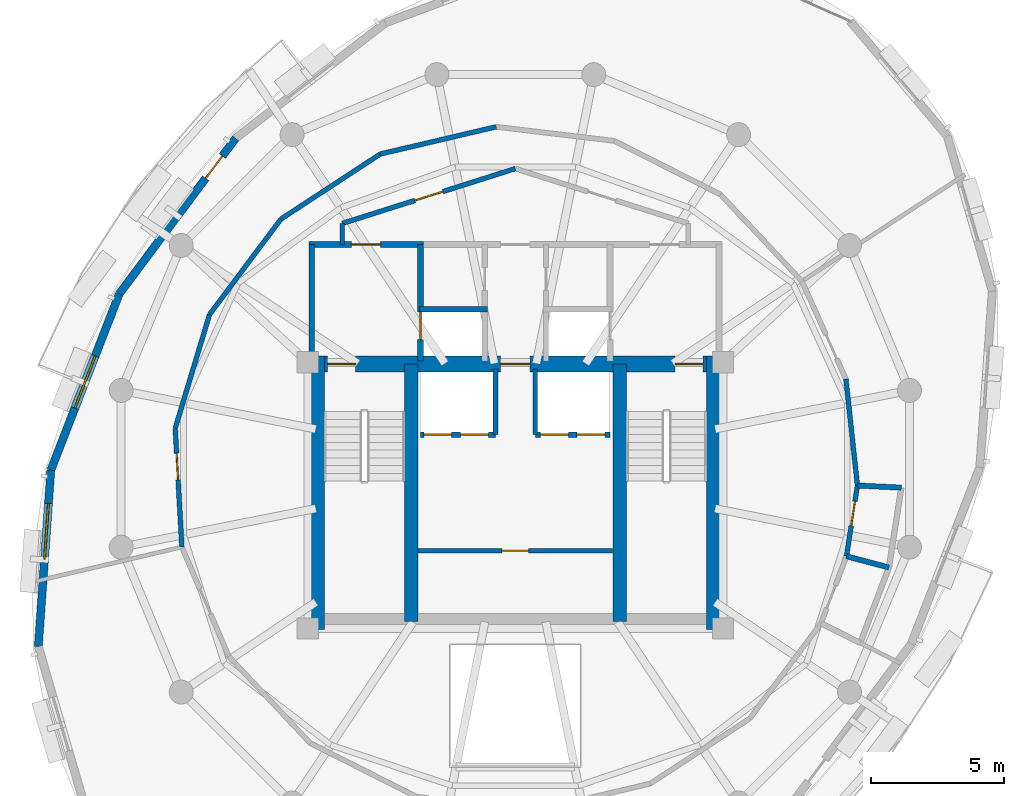
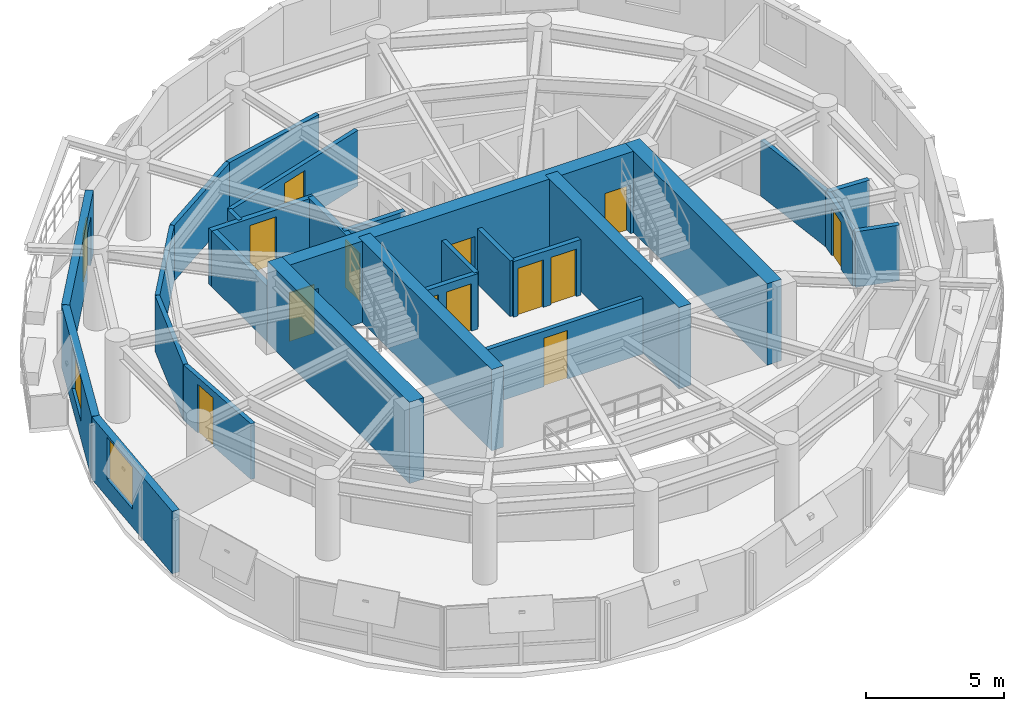
# One storey, part 7 of 11: 28 walls, 14 doors, 2 windows, 16 openings.
"""IFC4 building model written with IfcOpenShell, lengths in metres."""

from ifc_helpers import new_model, si_unit, direction, frame, frame_2d, origin, place, context, subcontext, project, spatial, rectangle, extrude, material, layer, layer_set, type_object, element, fill, save


model = new_model("IFC4")

# Units and contexts
model_context = context("Model", 3, precision=1e-05, world=origin(), true_north=direction((0.0, 1.0)))
body_context = subcontext(model_context, "Body", "Model", "MODEL_VIEW")
ifc_project = project(units=[si_unit("LENGTHUNIT", "METRE"), si_unit("AREAUNIT", "SQUARE_METRE"), si_unit("VOLUMEUNIT", "CUBIC_METRE"), si_unit("PLANEANGLEUNIT", "RADIAN"), si_unit("MASSUNIT", "GRAM", prefix="KILO"), si_unit("THERMODYNAMICTEMPERATUREUNIT", "KELVIN"), si_unit("POWERUNIT", "WATT")], contexts=[model_context])

# Site, building, storey
site_placement = place(None, origin())
site = spatial("IfcSite", under=ifc_project, at=site_placement, CompositionType="ELEMENT")
building_placement = place(site_placement, origin())
building = spatial("IfcBuilding", under=site, at=building_placement, Name="Ocrelia Relay Tower", CompositionType="ELEMENT")
storey_placement = place(building_placement, frame((0.0, 0.0, 252.0)))
storey = spatial("IfcBuildingStorey", under=building, at=storey_placement, Name="L62", CompositionType="ELEMENT", Elevation=252.0)

# Wall, openings, doors
ifc_material_1 = material(Name="Concrete C50/60", Category="concrete")
ifc_layer_1 = layer(ifc_material_1, 0.60009765625, Name="Concrete C50/60")
ifc_layer_set_1 = layer_set([ifc_layer_1], Name="Concrete C50/60")
wall_type_1 = type_object("IfcWallType", Name="CW-CORE-600B", PredefinedType="SHEAR", material=ifc_layer_set_1)
wall_1_placement = place(storey_placement, frame((26.221923828125, 29.93798828125, 0.0), z_axis=(0.0, 0.0, 1.0), x_axis=(1.0, 0.0, 0.0)))
wall_1 = element("IfcWall", 1, at=wall_1_placement, inside=storey, type_object=wall_type_1, Name="L62 Core Shear Wall N", PredefinedType="SHEAR", context=body_context, shape_type="SweptSolid", body=[
    extrude(rectangle(XDim=15.566162109375, YDim=0.60009765625, at=frame_2d((7.783203125, 0.0))), origin(), (0.0, 0.0, 1.0), 3.60009765625),
])
opening_1_placement = place(wall_1_placement, frame((0.72802734375, 0.0, 0.0)))
opening_1 = element("IfcOpeningElement", 2, at=opening_1_placement, cuts=wall_1, Name="Opening D-FD90", PredefinedType="OPENING", context=body_context, shape_type="SweptSolid", body=[
    extrude(rectangle(XDim=1.050048828125, YDim=2.14990234375, at=frame_2d((0.52490234375, 1.074951171875))), frame((0.0, 0.31005859375, 0.0), z_axis=(0.0, -1.0, 0.0), x_axis=(1.0, 0.0, 0.0)), (0.0, 0.0, 1.0), 0.6201171875),
])
opening_2_placement = place(wall_1_placement, frame((13.778076171875, 0.0, 0.0)))
opening_2 = element("IfcOpeningElement", 3, at=opening_2_placement, cuts=wall_1, Name="Opening D-FD90", PredefinedType="OPENING", context=body_context, shape_type="SweptSolid", body=[
    extrude(rectangle(XDim=1.050048828125, YDim=2.14990234375, at=frame_2d((0.52490234375, 1.074951171875))), frame((0.0, 0.31005859375, 0.0), z_axis=(0.0, -1.0, 0.0), x_axis=(1.0, 0.0, 0.0)), (0.0, 0.0, 1.0), 0.6201171875),
])
opening_3_placement = place(wall_1_placement, frame((7.22802734375, 0.0, 0.0)))
opening_3 = element("IfcOpeningElement", 4, at=opening_3_placement, cuts=wall_1, Name="Opening D-FD60", PredefinedType="OPENING", context=body_context, shape_type="SweptSolid", body=[
    extrude(rectangle(XDim=1.10009765625, YDim=2.14990234375, at=frame_2d((0.550048828125, 1.074951171875))), frame((0.0, 0.31005859375, 0.0), z_axis=(0.0, -1.0, 0.0), x_axis=(1.0, 0.0, 0.0)), (0.0, 0.0, 1.0), 0.6201171875),
])
ifc_material_2 = material(Name="Timber-core 60-min acoustic fire door", Category="wood")
door_type_1 = type_object("IfcDoorType", Name="DR-LOBBY-FD60-1100", OperationType="NOTDEFINED", PredefinedType="DOOR", material=ifc_material_2)
door_1_placement = place(opening_3_placement, origin())
door_1 = element("IfcDoor", 5, at=door_1_placement, inside=storey, type_object=door_type_1, Name="L62 Core Lift Lobby North Fire Door", OperationType="SINGLE_SWING_LEFT", OverallHeight=2.14990234375, OverallWidth=1.10009765625, PredefinedType="DOOR", context=body_context, shape_type="SweptSolid", body=[
    extrude(rectangle(XDim=1.10009765625, YDim=2.14990234375, at=frame_2d((0.550048828125, 1.074951171875))), frame((0.0, 0.02490234375, 0.0), z_axis=(0.0, -1.0, 0.0), x_axis=(1.0, 0.0, 0.0)), (0.0, 0.0, 1.0), 0.050048828125),
])
fill(opening_3, door_1)
ifc_material_3 = material(Name="Steel S355 90-min fire door", Category="steel")
door_type_2 = type_object("IfcDoorType", Name="DR-STAIR-FD90-1050", OperationType="NOTDEFINED", PredefinedType="DOOR", material=ifc_material_3)
door_2_placement = place(opening_1_placement, origin())
door_2 = element("IfcDoor", 6, at=door_2_placement, inside=storey, type_object=door_type_2, Name="L62 Stair ST1 Fire Door", OperationType="SINGLE_SWING_LEFT", OverallHeight=2.14990234375, OverallWidth=1.050048828125, PredefinedType="DOOR", context=body_context, shape_type="SweptSolid", body=[
    extrude(rectangle(XDim=1.050048828125, YDim=2.14990234375, at=frame_2d((0.52490234375, 1.074951171875))), frame((0.0, 0.02490234375, 0.0), z_axis=(0.0, -1.0, 0.0), x_axis=(1.0, 0.0, 0.0)), (0.0, 0.0, 1.0), 0.050048828125),
])
fill(opening_1, door_2)
door_3_placement = place(opening_2_placement, origin())
door_3 = element("IfcDoor", 7, at=door_3_placement, inside=storey, type_object=door_type_2, Name="L62 Stair ST2 Fire Door", OperationType="SINGLE_SWING_RIGHT", OverallHeight=2.14990234375, OverallWidth=1.050048828125, PredefinedType="DOOR", context=body_context, shape_type="SweptSolid", body=[
    extrude(rectangle(XDim=1.050048828125, YDim=2.14990234375, at=frame_2d((0.52490234375, 1.074951171875))), frame((0.0, 0.02490234375, 0.0), z_axis=(0.0, -1.0, 0.0), x_axis=(1.0, 0.0, 0.0)), (0.0, 0.0, 1.0), 0.050048828125),
])
fill(opening_2, door_3)

# Walls
for number, where, z_axis, x_axis, name in (
    (8, (26.52197265625, 19.9619140625, 0.0), (0.0, 0.0, 1.0), (0.0, 1.0, 0.0), "L62 Core Shear Wall W"),
    (9, (41.488037109375, 19.9619140625, 0.0), (0.0, 0.0, 1.0), (0.0, 1.0, 0.0), "L62 Core Shear Wall E"),
):
    element("IfcWall", number, at=place(storey_placement, frame(where, z_axis=z_axis, x_axis=x_axis)), inside=storey, type_object=wall_type_1, Name=name, PredefinedType="SHEAR", context=body_context, shape_type="SweptSolid", body=[
        extrude(rectangle(XDim=10.276123046875, YDim=0.60009765625, at=frame_2d((5.13818359375, 0.0))), origin(), (0.0, 0.0, 1.0), 3.60009765625),
    ])
for number, where, z_axis, x_axis, name in (
    (10, (30.087890625, 20.261962890625, 0.0), (0.0, 0.0, 1.0), (0.0, 1.0, 0.0), "L62 Core Shear Wall SPW"),
    (11, (37.922119140625, 20.261962890625, 0.0), (0.0, 0.0, 1.0), (0.0, 1.0, 0.0), "L62 Core Shear Wall SPE"),
):
    element("IfcWall", number, at=place(storey_placement, frame(where, z_axis=z_axis, x_axis=x_axis)), inside=storey, type_object=wall_type_1, Name=name, PredefinedType="SHEAR", context=body_context, shape_type="SweptSolid", body=[
        extrude(rectangle(XDim=9.676025390625, YDim=0.5, at=frame_2d((4.837890625, 0.0))), origin(), (0.0, 0.0, 1.0), 3.60009765625),
    ])

# Wall, opening, door
ifc_material_4 = material(Name="Gypsum Fireboard Partition EI60", Category="gypsum")
ifc_layer_2 = layer(ifc_material_4, 0.179931640625, Name="Gypsum Fireboard Partition EI60")
ifc_layer_set_2 = layer_set([ifc_layer_2], Name="Gypsum Fireboard Partition EI60")
wall_type_2 = type_object("IfcWallType", Name="W-CORR-EI60-180", PredefinedType="PARTITIONING", material=ifc_layer_set_2)
wall_2_placement = place(storey_placement, frame((30.35009765625, 22.919921875, 0.0), z_axis=(0.0, 0.0, 1.0), x_axis=(1.0, 0.0, 0.0)))
wall_2 = element("IfcWall", 12, at=wall_2_placement, inside=storey, type_object=wall_type_2, Name="L62 Reclaimed Core Room Partition", PredefinedType="PARTITIONING", context=body_context, shape_type="SweptSolid", body=[
    extrude(rectangle(XDim=7.2998046875, YDim=0.179931640625, at=frame_2d((3.64990234375, 0.0))), origin(), (0.0, 0.0, 1.0), 2.4599609375),
])
opening_4_placement = place(wall_2_placement, frame((3.14990234375, 0.0, 0.0)))
opening_4 = element("IfcOpeningElement", 13, at=opening_4_placement, cuts=wall_2, Name="Opening D-RM100", PredefinedType="OPENING", context=body_context, shape_type="SweptSolid", body=[
    extrude(rectangle(XDim=1.0, YDim=2.14990234375, at=frame_2d((0.5, 1.074951171875))), frame((0.0, 0.10009765625, 0.0), z_axis=(0.0, -1.0, 0.0), x_axis=(1.0, 0.0, 0.0)), (0.0, 0.0, 1.0), 0.199951171875),
])
ifc_material_5 = material(Name="Acoustic oak veneer fire door", Category="wood")
door_type_3 = type_object("IfcDoorType", Name="DR-ROOM-FD60-1000", OperationType="NOTDEFINED", PredefinedType="DOOR", material=ifc_material_5)
door_4_placement = place(opening_4_placement, origin())
door_4 = element("IfcDoor", 14, at=door_4_placement, inside=storey, type_object=door_type_3, Name="L62 Calibration Laboratory Door", OperationType="SINGLE_SWING_LEFT", OverallHeight=2.14990234375, OverallWidth=1.0, PredefinedType="DOOR", context=body_context, shape_type="SweptSolid", body=[
    extrude(rectangle(XDim=1.0, YDim=2.14990234375, at=frame_2d((0.5, 1.074951171875))), frame((0.0, 0.02490234375, 0.0), z_axis=(0.0, -1.0, 0.0), x_axis=(1.0, 0.0, 0.0)), (0.0, 0.0, 1.0), 0.050048828125),
])
fill(opening_4, door_4)

# Wall
wall_3_placement = place(storey_placement, frame((27.5, 34.429931640625, 0.0), z_axis=(0.0, 0.0, 1.0), x_axis=(0.0, 1.0, 0.0)))
element("IfcWall", 15, at=wall_3_placement, inside=storey, type_object=wall_type_2, Name="L62 Smoke Lobby West Return", PredefinedType="PARTITIONING", context=body_context, shape_type="SweptSolid", body=[
    extrude(rectangle(XDim=0.7890625, YDim=0.179931640625, at=frame_2d((0.39453125, 0.0))), origin(), (0.0, 0.0, 1.0), 2.4599609375),
])

# Wall, opening, door
wall_4_placement = place(storey_placement, frame((27.5, 35.218994140625, 0.0), z_axis=(0.0, 0.0, 1.0), x_axis=(0.953228121756, 0.302251795518, 0.0)))
wall_4 = element("IfcWall", 16, at=wall_4_placement, inside=storey, type_object=wall_type_2, Name="L62 North Smoke Lobby W Screen Wall", PredefinedType="PARTITIONING", context=body_context, shape_type="SweptSolid", body=[
    extrude(rectangle(XDim=6.81884765625, YDim=0.179931640625, at=frame_2d((3.409423828125, 0.0))), origin(), (0.0, 0.0, 1.0), 2.4599609375),
])
opening_5_placement = place(wall_4_placement, frame((2.859619140625, 0.0, 0.0)))
opening_5 = element("IfcOpeningElement", 17, at=opening_5_placement, cuts=wall_4, Name="Opening D-FD60", PredefinedType="OPENING", context=body_context, shape_type="SweptSolid", body=[
    extrude(rectangle(XDim=1.10009765625, YDim=2.14990234375, at=frame_2d((0.550048828125, 1.074951171875))), frame((0.0, 0.10009765625, 0.0), z_axis=(0.0, -1.0, 0.0), x_axis=(1.0, 0.0, 0.0)), (0.0, 0.0, 1.0), 0.199951171875),
])
door_5_placement = place(opening_5_placement, origin())
door_5 = element("IfcDoor", 18, at=door_5_placement, inside=storey, type_object=door_type_1, Name="L62 North Smoke Lobby W Fire Door", OperationType="SINGLE_SWING_RIGHT", OverallHeight=2.14990234375, OverallWidth=1.10009765625, PredefinedType="DOOR", context=body_context, shape_type="SweptSolid", body=[
    extrude(rectangle(XDim=1.10009765625, YDim=2.14990234375, at=frame_2d((0.550048828125, 1.074951171875))), frame((0.0, 0.02490234375, 0.0), z_axis=(0.0, -1.0, 0.0), x_axis=(1.0, 0.0, 0.0)), (0.0, 0.0, 1.0), 0.050048828125),
])
fill(opening_5, door_5)

wall_5_placement = place(storey_placement, frame((46.443115234375, 22.71240234375, 0.0), z_axis=(0.0, 0.0, 1.0), x_axis=(0.152895812912, 0.988242313602, 0.0)))
wall_5 = element("IfcWall", 19, at=wall_5_placement, inside=storey, type_object=wall_type_2, Name="L62 Accessible Toilet Corridor Wall", PredefinedType="PARTITIONING", context=body_context, shape_type="SweptSolid", body=[
    extrude(rectangle(XDim=2.690673828125, YDim=0.179931640625, at=frame_2d((1.34521484375, 0.0))), origin(), (0.0, 0.0, 1.0), 2.4599609375),
])
opening_6_placement = place(wall_5_placement, frame((1.16748046875, 0.0, 0.0)))
opening_6 = element("IfcOpeningElement", 20, at=opening_6_placement, cuts=wall_5, Name="Opening D-WC92", PredefinedType="OPENING", context=body_context, shape_type="SweptSolid", body=[
    extrude(rectangle(XDim=0.919921875, YDim=2.10009765625, at=frame_2d((0.4599609375, 1.050048828125))), frame((0.0, 0.10009765625, 0.0), z_axis=(0.0, -1.0, 0.0), x_axis=(1.0, 0.0, 0.0)), (0.0, 0.0, 1.0), 0.199951171875),
])
ifc_material_6 = material(Name="Laminate washroom door", Category="wood")
door_type_4 = type_object("IfcDoorType", Name="DR-WC-920", OperationType="NOTDEFINED", PredefinedType="DOOR", material=ifc_material_6)
door_6_placement = place(opening_6_placement, origin())
door_6 = element("IfcDoor", 21, at=door_6_placement, inside=storey, type_object=door_type_4, Name="L62 Accessible Toilet Door", OperationType="SINGLE_SWING_LEFT", OverallHeight=2.10009765625, OverallWidth=0.919921875, PredefinedType="DOOR", context=body_context, shape_type="SweptSolid", body=[
    extrude(rectangle(XDim=0.919921875, YDim=2.10009765625, at=frame_2d((0.4599609375, 1.050048828125))), frame((0.0, 0.02490234375, 0.0), z_axis=(0.0, -1.0, 0.0), x_axis=(1.0, 0.0, 0.0)), (0.0, 0.0, 1.0), 0.050048828125),
])
fill(opening_6, door_6)

# Walls
wall_6_placement = place(storey_placement, frame((46.8544921875, 25.371337890625, 0.0), z_axis=(0.0, 0.0, 1.0), x_axis=(-0.107922399917, 0.994159321033, 0.0)))
element("IfcWall", 22, at=wall_6_placement, inside=storey, type_object=wall_type_2, Name="L62 Technical Reference Library Corridor Partition 1", PredefinedType="PARTITIONING", context=body_context, shape_type="SweptSolid", body=[
    extrude(rectangle(XDim=4.026611328125, YDim=0.179931640625, at=frame_2d((2.01318359375, 0.0))), origin(), (0.0, 0.0, 1.0), 2.4599609375),
])
for number, where, z_axis, x_axis, name in (
    (23, (33.281494140625, 38.849853515625, 0.0), (0.0, 0.0, 1.0), (-0.973585963323, -0.228320765636, 0.0), "L62 Executive Club and Forum Hall Corridor Partition 4"),
    (24, (28.929931640625, 37.829345703125, 0.0), (0.0, 0.0, 1.0), (-0.836751116768, -0.54758338962, 0.0), "L62 Executive Club and Forum Hall Corridor Partition 5"),
    (25, (25.18994140625, 35.3818359375, 0.0), (0.0, 0.0, 1.0), (-0.599020755264, -0.800733497964, 0.0), "L62 Executive Club and Forum Hall Corridor Partition 6"),
    (26, (22.512451171875, 31.802734375, 0.0), (0.0, 0.0, 1.0), (-0.289061263189, -0.957310600653, 0.0), "L62 Executive Club and Forum Hall Corridor Partition 7"),
):
    element("IfcWall", number, at=place(storey_placement, frame(where, z_axis=z_axis, x_axis=x_axis)), inside=storey, type_object=wall_type_2, Name=name, PredefinedType="PARTITIONING", context=body_context, shape_type="SweptSolid", body=[
        extrude(rectangle(XDim=4.4697265625, YDim=0.179931640625, at=frame_2d((2.23486328125, 0.0))), origin(), (0.0, 0.0, 1.0), 2.4599609375),
    ])

# Wall, opening, door
wall_7_placement = place(storey_placement, frame((21.220458984375, 27.52392578125, 0.0), z_axis=(0.0, 0.0, 1.0), x_axis=(0.055820924189, -0.998440796654, 0.0)))
wall_7 = element("IfcWall", 27, at=wall_7_placement, inside=storey, type_object=wall_type_2, Name="L62 Executive Club and Forum Hall Corridor Partition 8", PredefinedType="PARTITIONING", context=body_context, shape_type="SweptSolid", body=[
    extrude(rectangle(XDim=4.469970703125, YDim=0.179931640625, at=frame_2d((2.23486328125, 0.0))), origin(), (0.0, 0.0, 1.0), 2.4599609375),
])
opening_7_placement = place(wall_7_placement, frame((0.9423828125, 0.0, 0.0)))
opening_7 = element("IfcOpeningElement", 28, at=opening_7_placement, cuts=wall_7, Name="Opening D-RM100", PredefinedType="OPENING", context=body_context, shape_type="SweptSolid", body=[
    extrude(rectangle(XDim=1.0, YDim=2.14990234375, at=frame_2d((0.5, 1.074951171875))), frame((0.0, 0.10009765625, 0.0), z_axis=(0.0, -1.0, 0.0), x_axis=(1.0, 0.0, 0.0)), (0.0, 0.0, 1.0), 0.199951171875),
])
door_7_placement = place(opening_7_placement, origin())
door_7 = element("IfcDoor", 29, at=door_7_placement, inside=storey, type_object=door_type_3, Name="L62 Executive Club and Forum Hall Entrance Door", OperationType="SINGLE_SWING_LEFT", OverallHeight=2.14990234375, OverallWidth=1.0, PredefinedType="DOOR", context=body_context, shape_type="SweptSolid", body=[
    extrude(rectangle(XDim=1.0, YDim=2.14990234375, at=frame_2d((0.5, 1.074951171875))), frame((0.0, 0.02490234375, 0.0), z_axis=(0.0, -1.0, 0.0), x_axis=(1.0, 0.0, 0.0)), (0.0, 0.0, 1.0), 0.050048828125),
])
fill(opening_7, door_7)

ifc_material_7 = material(Name="Precast concrete C40/50 with oxide terracotta", Category="masonry")
ifc_layer_3 = layer(ifc_material_7, 0.300048828125, Name="Precast concrete C40/50 with oxide terracotta")
ifc_layer_set_3 = layer_set([ifc_layer_3], Name="Precast concrete C40/50 with oxide terracotta")
wall_type_3 = type_object("IfcWallType", Name="W-EXT-TERR-300", PredefinedType="SOLIDWALL", material=ifc_layer_set_3)
wall_8_placement = place(storey_placement, frame((23.488525390625, 38.417724609375, 0.0), z_axis=(0.0, 0.0, 1.0), x_axis=(-0.599035483742, -0.800722479526, 0.0)))
wall_8 = element("IfcWall", 30, at=wall_8_placement, inside=storey, type_object=wall_type_3, Name="L62 Oxide Terracotta Facade Wall 05", PredefinedType="SOLIDWALL", context=body_context, shape_type="SweptSolid", body=[
    extrude(rectangle(XDim=7.293212890625, YDim=0.300048828125, at=frame_2d((3.646484375, 0.0))), origin(), (0.0, 0.0, 1.0), 2.760009765625),
])
opening_8_placement = place(wall_8_placement, frame((0.830078125, 0.0, 0.0)))
opening_8 = element("IfcOpeningElement", 31, at=opening_8_placement, cuts=wall_8, Name="Opening DB-105", PredefinedType="OPENING", context=body_context, shape_type="SweptSolid", body=[
    extrude(rectangle(XDim=1.050048828125, YDim=2.14990234375, at=frame_2d((0.52490234375, 1.074951171875))), frame((0.0, 0.16015625, 0.0), z_axis=(0.0, -1.0, 0.0), x_axis=(1.0, 0.0, 0.0)), (0.0, 0.0, 1.0), 0.320068359375),
])
ifc_material_8 = material(Name="Thermally broken aluminium and clear glass", Category="aluminium")
door_type_5 = type_object("IfcDoorType", Name="DR-BALC-1050", OperationType="NOTDEFINED", PredefinedType="DOOR", material=ifc_material_8)
door_8_placement = place(opening_8_placement, origin())
door_8 = element("IfcDoor", 32, at=door_8_placement, inside=storey, type_object=door_type_5, Name="L62 Planted Loggia Balcony Door B1", OperationType="SINGLE_SWING_LEFT", OverallHeight=2.14990234375, OverallWidth=1.050048828125, PredefinedType="DOOR", context=body_context, shape_type="SweptSolid", body=[
    extrude(rectangle(XDim=1.050048828125, YDim=2.14990234375, at=frame_2d((0.52490234375, 1.074951171875))), frame((0.0, 0.02490234375, 0.0), z_axis=(0.0, -1.0, 0.0), x_axis=(1.0, 0.0, 0.0)), (0.0, 0.0, 1.0), 0.050048828125),
])
fill(opening_8, door_8)

# Wall, opening, window
wall_9_placement = place(storey_placement, frame((19.11962890625, 32.577880859375, 0.0), z_axis=(0.0, 0.0, 1.0), x_axis=(-0.361757335193, -0.932272294147, 0.0)))
wall_9 = element("IfcWall", 33, at=wall_9_placement, inside=storey, type_object=wall_type_3, Name="L62 Oxide Terracotta Facade Wall 06", PredefinedType="SOLIDWALL", context=body_context, shape_type="SweptSolid", body=[
    extrude(rectangle(XDim=7.115234375, YDim=0.300048828125, at=frame_2d((3.5576171875, 0.0))), origin(), (0.0, 0.0, 1.0), 2.760009765625),
])
opening_9_placement = place(wall_9_placement, frame((2.508056640625, 0.0, 0.800048828125)))
opening_9 = element("IfcOpeningElement", 34, at=opening_9_placement, cuts=wall_9, Name="Opening W-07", PredefinedType="OPENING", context=body_context, shape_type="SweptSolid", body=[
    extrude(rectangle(XDim=2.10009765625, YDim=1.85009765625, at=frame_2d((1.050048828125, 0.925048828125))), frame((0.0, 0.16015625, 0.0), z_axis=(0.0, -1.0, 0.0), x_axis=(1.0, 0.0, 0.0)), (0.0, 0.0, 1.0), 0.320068359375),
])
ifc_material_9 = material(Name="Clear double-glazed low-E glass", Category="glass")
window_type = type_object("IfcWindowType", Name="WIN-Z4-2100x2200", PartitioningType="DOUBLE_PANEL_VERTICAL", PredefinedType="WINDOW", material=ifc_material_9)
window_1_placement = place(opening_9_placement, origin())
window_1 = element("IfcWindow", 35, at=window_1_placement, inside=storey, type_object=window_type, Name="L62 Facade Module Window 06", OverallHeight=1.85009765625, OverallWidth=2.10009765625, PartitioningType="SINGLE_PANEL", PredefinedType="WINDOW", context=body_context, shape_type="SweptSolid", body=[
    extrude(rectangle(XDim=2.10009765625, YDim=1.85009765625, at=frame_2d((1.050048828125, 0.925048828125))), frame((0.0, 0.030029296875, 0.0), z_axis=(0.0, -1.0, 0.0), x_axis=(1.0, 0.0, 0.0)), (0.0, 0.0, 1.0), 0.06005859375),
])
fill(opening_9, window_1)

wall_10_placement = place(storey_placement, frame((16.545654296875, 25.944580078125, 0.0), z_axis=(0.0, 0.0, 1.0), x_axis=(-0.07056016097, -0.997507525628, 0.0)))
wall_10 = element("IfcWall", 36, at=wall_10_placement, inside=storey, type_object=wall_type_3, Name="L62 Oxide Terracotta Facade Wall 07", PredefinedType="SOLIDWALL", context=body_context, shape_type="SweptSolid", body=[
    extrude(rectangle(XDim=6.643310546875, YDim=0.300048828125, at=frame_2d((3.32177734375, 0.0))), origin(), (0.0, 0.0, 1.0), 2.760009765625),
])
opening_10_placement = place(wall_10_placement, frame((1.2509765625, 0.0, 0.800048828125)))
opening_10 = element("IfcOpeningElement", 37, at=opening_10_placement, cuts=wall_10, Name="Opening W-07", PredefinedType="OPENING", context=body_context, shape_type="SweptSolid", body=[
    extrude(rectangle(XDim=2.10009765625, YDim=1.85009765625, at=frame_2d((1.050048828125, 0.925048828125))), frame((0.0, 0.16015625, 0.0), z_axis=(0.0, -1.0, 0.0), x_axis=(1.0, 0.0, 0.0)), (0.0, 0.0, 1.0), 0.320068359375),
])
window_2_placement = place(opening_10_placement, origin())
window_2 = element("IfcWindow", 38, at=window_2_placement, inside=storey, type_object=window_type, Name="L62 Facade Module Window 07", OverallHeight=1.85009765625, OverallWidth=2.10009765625, PartitioningType="SINGLE_PANEL", PredefinedType="WINDOW", context=body_context, shape_type="SweptSolid", body=[
    extrude(rectangle(XDim=2.10009765625, YDim=1.85009765625, at=frame_2d((1.050048828125, 0.925048828125))), frame((0.0, 0.030029296875, 0.0), z_axis=(0.0, -1.0, 0.0), x_axis=(1.0, 0.0, 0.0)), (0.0, 0.0, 1.0), 0.06005859375),
])
fill(opening_10, window_2)

# Wall
ifc_layer_4 = layer(ifc_material_1, 0.219970703125, Name="Concrete C50/60")
ifc_layer_set_4 = layer_set([ifc_layer_4], Name="Concrete C50/60")
wall_type_4 = type_object("IfcWallType", Name="W-FFL-EI120-220", PredefinedType="SOLIDWALL", material=ifc_layer_set_4)
wall_11_placement = place(storey_placement, frame((26.35009765625, 30.050048828125, 0.0), z_axis=(0.0, 0.0, 1.0), x_axis=(0.0, 1.0, 0.0)))
element("IfcWall", 39, at=wall_11_placement, inside=storey, type_object=wall_type_4, Name="L62 W Fire Service Lift Lobby West Wall", PredefinedType="SOLIDWALL", context=body_context, shape_type="SweptSolid", body=[
    extrude(rectangle(XDim=4.3798828125, YDim=0.219970703125, at=frame_2d((2.18994140625, 0.0))), origin(), (0.0, 0.0, 1.0), 2.4599609375),
])

# Wall, opening, door
wall_12_placement = place(storey_placement, frame((30.43994140625, 30.050048828125, 0.0), z_axis=(0.0, 0.0, 1.0), x_axis=(0.0, 1.0, 0.0)))
wall_12 = element("IfcWall", 40, at=wall_12_placement, inside=storey, type_object=wall_type_4, Name="L62 W Fire Service Lift Lobby East Wall", PredefinedType="SOLIDWALL", context=body_context, shape_type="SweptSolid", body=[
    extrude(rectangle(XDim=4.3798828125, YDim=0.219970703125, at=frame_2d((2.18994140625, 0.0))), origin(), (0.0, 0.0, 1.0), 2.4599609375),
])
opening_11_placement = place(wall_12_placement, frame((0.800048828125, 0.0, 0.0)))
opening_11 = element("IfcOpeningElement", 41, at=opening_11_placement, cuts=wall_12, Name="Opening LD-FFL1", PredefinedType="OPENING", context=body_context, shape_type="SweptSolid", body=[
    extrude(rectangle(XDim=1.050048828125, YDim=2.10009765625, at=frame_2d((0.52490234375, 1.050048828125))), frame((0.0, 0.1201171875, 0.0), z_axis=(0.0, -1.0, 0.0), x_axis=(1.0, 0.0, 0.0)), (0.0, 0.0, 1.0), 0.239990234375),
])
ifc_material_10 = material(Name="Brushed stainless steel S355 lift landing door", Category="steel")
door_type_6 = type_object("IfcDoorType", Name="DR-LIFT-LAND-1050", OperationType="DOUBLE_DOOR_SLIDING", PredefinedType="USERDEFINED", material=ifc_material_10)
door_9_placement = place(opening_11_placement, origin())
door_9 = element("IfcDoor", 42, at=door_9_placement, inside=storey, type_object=door_type_6, Name="L62 Firefighting Lift FFL1 Sliding Landing Door", ObjectType="LANDING DOOR", OperationType="DOUBLE_DOOR_SLIDING", OverallHeight=2.10009765625, OverallWidth=1.050048828125, PredefinedType="USERDEFINED", context=body_context, shape_type="SweptSolid", body=[
    extrude(rectangle(XDim=1.050048828125, YDim=2.10009765625, at=frame_2d((0.52490234375, 1.050048828125))), frame((0.0, 0.02490234375, 0.0), z_axis=(0.0, -1.0, 0.0), x_axis=(1.0, 0.0, 0.0)), (0.0, 0.0, 1.0), 0.050048828125),
])
fill(opening_11, door_9)

wall_13_placement = place(storey_placement, frame((26.239990234375, 34.429931640625, 0.0), z_axis=(0.0, 0.0, 1.0), x_axis=(1.0, 0.0, 0.0)))
wall_13 = element("IfcWall", 43, at=wall_13_placement, inside=storey, type_object=wall_type_4, Name="L62 W Fire Service Lift Lobby North Wall", PredefinedType="SOLIDWALL", context=body_context, shape_type="SweptSolid", body=[
    extrude(rectangle(XDim=4.31005859375, YDim=0.219970703125, at=frame_2d((2.155029296875, 0.0))), origin(), (0.0, 0.0, 1.0), 2.4599609375),
])
opening_12_placement = place(wall_13_placement, frame((1.60009765625, 0.0, 0.0)))
opening_12 = element("IfcOpeningElement", 44, at=opening_12_placement, cuts=wall_13, Name="Opening D-FD60", PredefinedType="OPENING", context=body_context, shape_type="SweptSolid", body=[
    extrude(rectangle(XDim=1.10009765625, YDim=2.14990234375, at=frame_2d((0.550048828125, 1.074951171875))), frame((0.0, 0.1201171875, 0.0), z_axis=(0.0, -1.0, 0.0), x_axis=(1.0, 0.0, 0.0)), (0.0, 0.0, 1.0), 0.239990234375),
])
door_10_placement = place(opening_12_placement, origin())
door_10 = element("IfcDoor", 45, at=door_10_placement, inside=storey, type_object=door_type_1, Name="L62 W Fire Service Lift Lobby Exit Door", OperationType="SINGLE_SWING_RIGHT", OverallHeight=2.14990234375, OverallWidth=1.10009765625, PredefinedType="DOOR", context=body_context, shape_type="SweptSolid", body=[
    extrude(rectangle(XDim=1.10009765625, YDim=2.14990234375, at=frame_2d((0.550048828125, 1.074951171875))), frame((0.0, 0.02490234375, 0.0), z_axis=(0.0, -1.0, 0.0), x_axis=(1.0, 0.0, 0.0)), (0.0, 0.0, 1.0), 0.050048828125),
])
fill(opening_12, door_10)

# Walls
ifc_material_11 = material(Name="Moisture-Resistant Fireboard Chase Wall EI60", Category="gypsum")
ifc_layer_5 = layer(ifc_material_11, 0.199951171875, Name="Moisture-Resistant Fireboard Chase Wall EI60")
ifc_layer_set_5 = layer_set([ifc_layer_5], Name="Moisture-Resistant Fireboard Chase Wall EI60")
wall_type_5 = type_object("IfcWallType", Name="W-PLUMB-200", PredefinedType="PLUMBINGWALL", material=ifc_layer_set_5)
wall_14_placement = place(storey_placement, frame((46.443115234375, 22.71240234375, 0.0), z_axis=(0.0, 0.0, 1.0), x_axis=(0.966836443399, -0.25539634241, 0.0)))
element("IfcWall", 46, at=wall_14_placement, inside=storey, type_object=wall_type_5, Name="L62 Staff Toilet Plumbing Radial Wall", PredefinedType="PLUMBINGWALL", context=body_context, shape_type="SweptSolid", body=[
    extrude(rectangle(XDim=1.64990234375, YDim=0.199951171875, at=frame_2d((0.824951171875, 0.0))), origin(), (0.0, 0.0, 1.0), 2.4599609375),
])
wall_15_placement = place(storey_placement, frame((46.8544921875, 25.371337890625, 0.0), z_axis=(0.0, 0.0, 1.0), x_axis=(0.998807429021, -0.04882335233, 0.0)))
element("IfcWall", 47, at=wall_15_placement, inside=storey, type_object=wall_type_5, Name="L62 Accessible Toilet Plumbing Radial Wall", PredefinedType="PLUMBINGWALL", context=body_context, shape_type="SweptSolid", body=[
    extrude(rectangle(XDim=1.650146484375, YDim=0.199951171875, at=frame_2d((0.8251953125, 0.0))), origin(), (0.0, 0.0, 1.0), 2.4599609375),
])
ifc_layer_6 = layer(ifc_material_1, 0.199951171875, Name="Concrete C50/60")
ifc_layer_set_6 = layer_set([ifc_layer_6], Name="Concrete C50/60")
wall_type_6 = type_object("IfcWallType", Name="W-SHAFT-EI120-200", PredefinedType="SOLIDWALL", material=ifc_layer_set_6)
wall_16_placement = place(storey_placement, frame((30.39990234375, 32.0, 0.0), z_axis=(0.0, 0.0, 1.0), x_axis=(1.0, 0.0, 0.0)))
element("IfcWall", 48, at=wall_16_placement, inside=storey, type_object=wall_type_6, Name="L62 FFL1 Hoistway North Wall", PredefinedType="SOLIDWALL", context=body_context, shape_type="SweptSolid", body=[
    extrude(rectangle(XDim=2.550048828125, YDim=0.199951171875, at=frame_2d((1.27490234375, 0.0))), origin(), (0.0, 0.0, 1.0), 2.4599609375),
])

# Wall, openings, doors
wall_17_placement = place(storey_placement, frame((30.43994140625, 27.280029296875, 0.0), z_axis=(0.0, 0.0, 1.0), x_axis=(1.0, 0.0, 0.0)))
wall_17 = element("IfcWall", 49, at=wall_17_placement, inside=storey, type_object=wall_type_6, Name="L62 High-Rise Lift Hoistway Wall W", PredefinedType="SOLIDWALL", context=body_context, shape_type="SweptSolid", body=[
    extrude(rectangle(XDim=2.81005859375, YDim=0.199951171875, at=frame_2d((1.405029296875, 0.0))), origin(), (0.0, 0.0, 1.0), 2.4599609375),
])
opening_13_placement = place(wall_17_placement, frame((0.1201171875, 0.0, 0.0)))
opening_13 = element("IfcOpeningElement", 50, at=opening_13_placement, cuts=wall_17, Name="Opening LD-PL5", PredefinedType="OPENING", context=body_context, shape_type="SweptSolid", body=[
    extrude(rectangle(XDim=1.050048828125, YDim=2.10009765625, at=frame_2d((0.52490234375, 1.050048828125))), frame((0.0, 0.10986328125, 0.0), z_axis=(0.0, -1.0, 0.0), x_axis=(1.0, 0.0, 0.0)), (0.0, 0.0, 1.0), 0.219970703125),
])
opening_14_placement = place(wall_17_placement, frame((1.5, 0.0, 0.0)))
opening_14 = element("IfcOpeningElement", 51, at=opening_14_placement, cuts=wall_17, Name="Opening LD-PL6", PredefinedType="OPENING", context=body_context, shape_type="SweptSolid", body=[
    extrude(rectangle(XDim=1.050048828125, YDim=2.10009765625, at=frame_2d((0.52490234375, 1.050048828125))), frame((0.0, 0.10986328125, 0.0), z_axis=(0.0, -1.0, 0.0), x_axis=(1.0, 0.0, 0.0)), (0.0, 0.0, 1.0), 0.219970703125),
])
door_11_placement = place(opening_13_placement, origin())
door_11 = element("IfcDoor", 52, at=door_11_placement, inside=storey, type_object=door_type_6, Name="L62 High-Rise Lift PL5 Sliding Landing Door", ObjectType="LANDING DOOR", OperationType="DOUBLE_DOOR_SLIDING", OverallHeight=2.10009765625, OverallWidth=1.050048828125, PredefinedType="USERDEFINED", context=body_context, shape_type="SweptSolid", body=[
    extrude(rectangle(XDim=1.050048828125, YDim=2.10009765625, at=frame_2d((0.52490234375, 1.050048828125))), frame((0.0, 0.02490234375, 0.0), z_axis=(0.0, -1.0, 0.0), x_axis=(1.0, 0.0, 0.0)), (0.0, 0.0, 1.0), 0.050048828125),
])
fill(opening_13, door_11)
door_12_placement = place(opening_14_placement, origin())
door_12 = element("IfcDoor", 53, at=door_12_placement, inside=storey, type_object=door_type_6, Name="L62 High-Rise Lift PL6 Sliding Landing Door", ObjectType="LANDING DOOR", OperationType="DOUBLE_DOOR_SLIDING", OverallHeight=2.10009765625, OverallWidth=1.050048828125, PredefinedType="USERDEFINED", context=body_context, shape_type="SweptSolid", body=[
    extrude(rectangle(XDim=1.050048828125, YDim=2.10009765625, at=frame_2d((0.52490234375, 1.050048828125))), frame((0.0, 0.02490234375, 0.0), z_axis=(0.0, -1.0, 0.0), x_axis=(1.0, 0.0, 0.0)), (0.0, 0.0, 1.0), 0.050048828125),
])
fill(opening_14, door_12)

# Wall
wall_18_placement = place(storey_placement, frame((33.25, 27.280029296875, 0.0), z_axis=(0.0, 0.0, 1.0), x_axis=(0.0, 1.0, 0.0)))
element("IfcWall", 54, at=wall_18_placement, inside=storey, type_object=wall_type_6, Name="L62 High-Rise Lift Throat Wall W", PredefinedType="SOLIDWALL", context=body_context, shape_type="SweptSolid", body=[
    extrude(rectangle(XDim=2.469970703125, YDim=0.179931640625, at=frame_2d((1.23486328125, 0.0))), origin(), (0.0, 0.0, 1.0), 2.4599609375),
])

# Wall, openings, doors
wall_19_placement = place(storey_placement, frame((34.75, 27.280029296875, 0.0), z_axis=(0.0, 0.0, 1.0), x_axis=(1.0, 0.0, 0.0)))
wall_19 = element("IfcWall", 55, at=wall_19_placement, inside=storey, type_object=wall_type_6, Name="L62 High-Rise Lift Hoistway Wall E", PredefinedType="SOLIDWALL", context=body_context, shape_type="SweptSolid", body=[
    extrude(rectangle(XDim=2.81005859375, YDim=0.199951171875, at=frame_2d((1.405029296875, 0.0))), origin(), (0.0, 0.0, 1.0), 2.4599609375),
])
opening_15_placement = place(wall_19_placement, frame((0.18994140625, 0.0, 0.0)))
opening_15 = element("IfcOpeningElement", 56, at=opening_15_placement, cuts=wall_19, Name="Opening LD-PL7", PredefinedType="OPENING", context=body_context, shape_type="SweptSolid", body=[
    extrude(rectangle(XDim=1.050048828125, YDim=2.10009765625, at=frame_2d((0.52490234375, 1.050048828125))), frame((0.0, 0.10986328125, 0.0), z_axis=(0.0, -1.0, 0.0), x_axis=(1.0, 0.0, 0.0)), (0.0, 0.0, 1.0), 0.219970703125),
])
opening_16_placement = place(wall_19_placement, frame((1.570068359375, 0.0, 0.0)))
opening_16 = element("IfcOpeningElement", 57, at=opening_16_placement, cuts=wall_19, Name="Opening LD-PL8", PredefinedType="OPENING", context=body_context, shape_type="SweptSolid", body=[
    extrude(rectangle(XDim=1.050048828125, YDim=2.10009765625, at=frame_2d((0.52490234375, 1.050048828125))), frame((0.0, 0.10986328125, 0.0), z_axis=(0.0, -1.0, 0.0), x_axis=(1.0, 0.0, 0.0)), (0.0, 0.0, 1.0), 0.219970703125),
])
door_13_placement = place(opening_15_placement, origin())
door_13 = element("IfcDoor", 58, at=door_13_placement, inside=storey, type_object=door_type_6, Name="L62 High-Rise Lift PL7 Sliding Landing Door", ObjectType="LANDING DOOR", OperationType="DOUBLE_DOOR_SLIDING", OverallHeight=2.10009765625, OverallWidth=1.050048828125, PredefinedType="USERDEFINED", context=body_context, shape_type="SweptSolid", body=[
    extrude(rectangle(XDim=1.050048828125, YDim=2.10009765625, at=frame_2d((0.52490234375, 1.050048828125))), frame((0.0, 0.02490234375, 0.0), z_axis=(0.0, -1.0, 0.0), x_axis=(1.0, 0.0, 0.0)), (0.0, 0.0, 1.0), 0.050048828125),
])
fill(opening_15, door_13)
door_14_placement = place(opening_16_placement, origin())
door_14 = element("IfcDoor", 59, at=door_14_placement, inside=storey, type_object=door_type_6, Name="L62 High-Rise Lift PL8 Sliding Landing Door", ObjectType="LANDING DOOR", OperationType="DOUBLE_DOOR_SLIDING", OverallHeight=2.10009765625, OverallWidth=1.050048828125, PredefinedType="USERDEFINED", context=body_context, shape_type="SweptSolid", body=[
    extrude(rectangle(XDim=1.050048828125, YDim=2.10009765625, at=frame_2d((0.52490234375, 1.050048828125))), frame((0.0, 0.02490234375, 0.0), z_axis=(0.0, -1.0, 0.0), x_axis=(1.0, 0.0, 0.0)), (0.0, 0.0, 1.0), 0.050048828125),
])
fill(opening_16, door_14)

# Wall
wall_20_placement = place(storey_placement, frame((34.75, 27.280029296875, 0.0), z_axis=(0.0, 0.0, 1.0), x_axis=(0.0, 1.0, 0.0)))
element("IfcWall", 60, at=wall_20_placement, inside=storey, type_object=wall_type_6, Name="L62 High-Rise Lift Throat Wall E", PredefinedType="SOLIDWALL", context=body_context, shape_type="SweptSolid", body=[
    extrude(rectangle(XDim=2.469970703125, YDim=0.179931640625, at=frame_2d((1.23486328125, 0.0))), origin(), (0.0, 0.0, 1.0), 2.4599609375),
])

save(model, "model.ifc")
